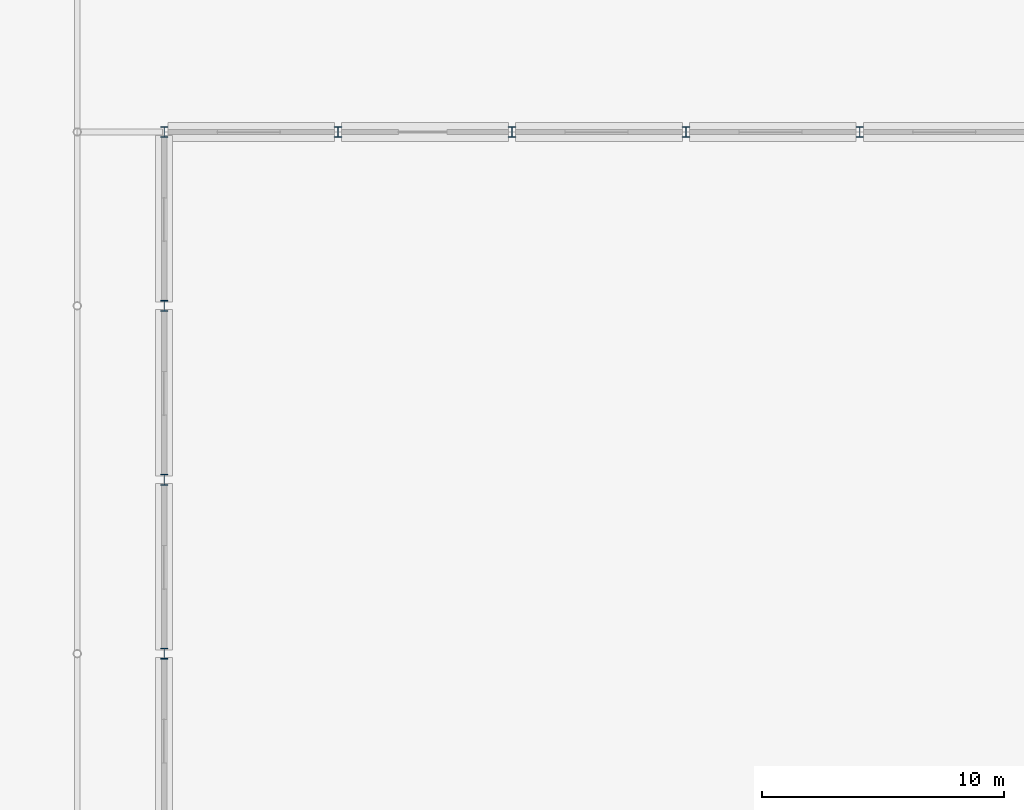
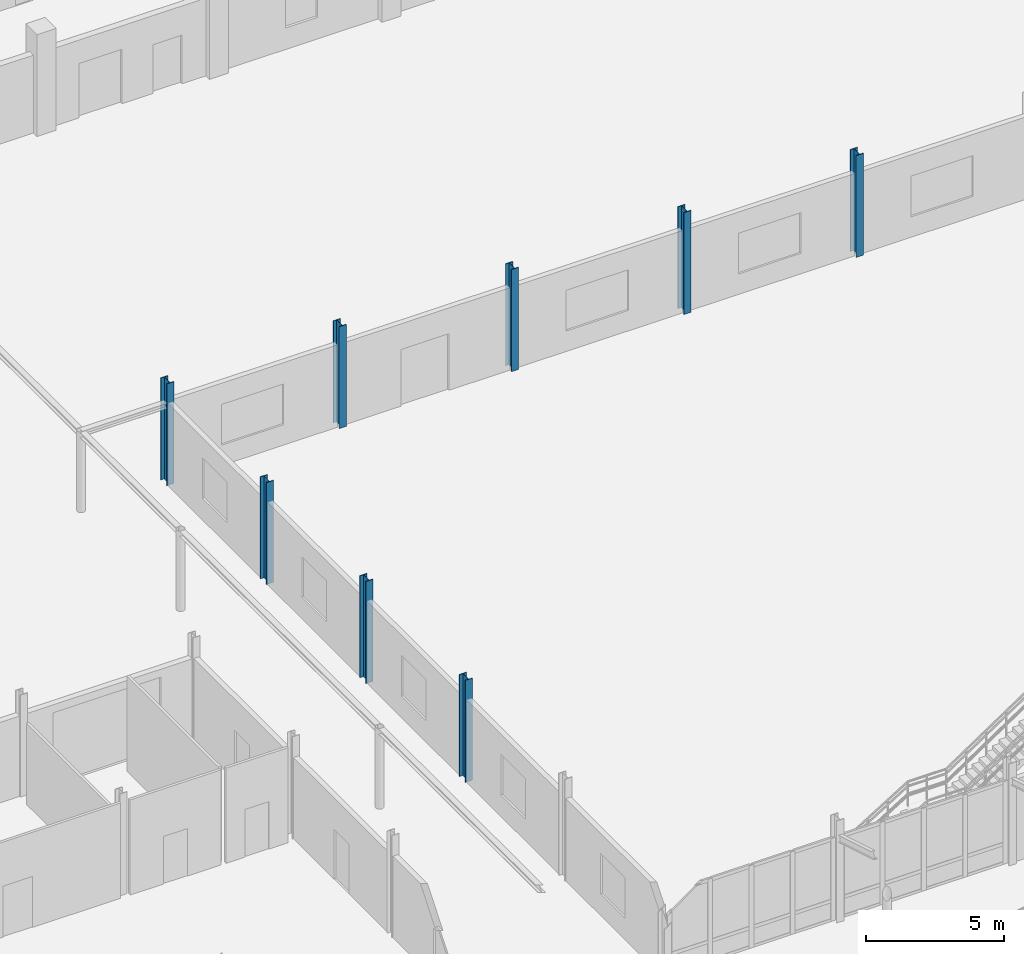
# One storey, part 12 of 139: 8 columns.
"""IFC4 building model written with IfcOpenShell, lengths in metres."""

from ifc_helpers import new_model, si_unit, direction, frame, origin, origin_2d, place, context, subcontext, project, spatial, i_section, extrude, material, material_profile, profile_set, type_object, element, save


model = new_model("IFC4")

# Units and contexts
model_context = context("Model", 3, precision=1e-05, world=origin(), true_north=direction((0.0, 1.0)))
body_context = subcontext(model_context, "Body", "Model", "MODEL_VIEW")
ifc_project = project(units=[si_unit("LENGTHUNIT", "METRE"), si_unit("AREAUNIT", "SQUARE_METRE"), si_unit("VOLUMEUNIT", "CUBIC_METRE"), si_unit("PLANEANGLEUNIT", "RADIAN"), si_unit("MASSUNIT", "GRAM", prefix="KILO")], contexts=[model_context])

# Site, building, storey
site_placement = place(None, origin())
site = spatial("IfcSite", under=ifc_project, at=site_placement, CompositionType="ELEMENT")
building_placement = place(site_placement, origin())
building = spatial("IfcBuilding", under=site, at=building_placement, Name="Suanplinth Sawtooth Commons", CompositionType="ELEMENT")
storey_placement = place(building_placement, origin())
storey = spatial("IfcBuildingStorey", under=building, at=storey_placement, Name="L00", CompositionType="ELEMENT", Elevation=0.0)

# Columns
ifc_material = material(Name="Steel S355JR", Category="steel")
ifc_material_profile = material_profile(ifc_material, i_section(OverallWidth=0.300048828125, OverallDepth=0.449951171875, WebThickness=0.013916015625, FlangeThickness=0.02587890625, at=origin_2d()), Name="HEB 450")
ifc_profile_set = profile_set([ifc_material_profile], Name="Steel S355JR")
column_type = type_object("IfcColumnType", Name="C-09", PredefinedType="COLUMN", material=ifc_profile_set)
for number, where, z_axis, x_axis, name in (
    (1, (64.800048828125, 64.800048828125, 0.0), (0.0, 0.0, 1.0), (1.0, 0.0, 0.0), "Column L00 10/K"),
    (2, (64.800048828125, 72.0, 0.0), (0.0, 0.0, 1.0), (1.0, 0.0, 0.0), "Column L00 10/L"),
    (3, (64.800048828125, 79.199951171875, 0.0), (0.0, 0.0, 1.0), (1.0, 0.0, 0.0), "Column L00 10/M"),
    (4, (64.800048828125, 86.39990234375, 0.0), (0.0, 0.0, 1.0), (1.0, 0.0, 0.0), "Column L00 10/N"),
    (5, (72.0, 86.39990234375, 0.0), (0.0, 0.0, 1.0), (1.0, 0.0, 0.0), "Column L00 11/N"),
    (6, (79.199951171875, 86.39990234375, 0.0), (0.0, 0.0, 1.0), (1.0, 0.0, 0.0), "Column L00 12/N"),
    (7, (86.39990234375, 86.39990234375, 0.0), (0.0, 0.0, 1.0), (1.0, 0.0, 0.0), "Column L00 13/N"),
    (8, (93.60009765625, 86.39990234375, 0.0), (0.0, 0.0, 1.0), (1.0, 0.0, 0.0), "Column L00 14/N"),
):
    element("IfcColumn", number, at=place(storey_placement, frame(where, z_axis=z_axis, x_axis=x_axis)), inside=storey, type_object=column_type, Name=name, PredefinedType="COLUMN", context=body_context, shape_type="SweptSolid", body=[
        extrude(i_section(OverallWidth=0.300048828125, OverallDepth=0.449951171875, WebThickness=0.013916015625, FlangeThickness=0.02587890625, at=origin_2d()), origin(), (0.0, 0.0, 1.0), 4.5),
    ])

save(model, "model.ifc")
